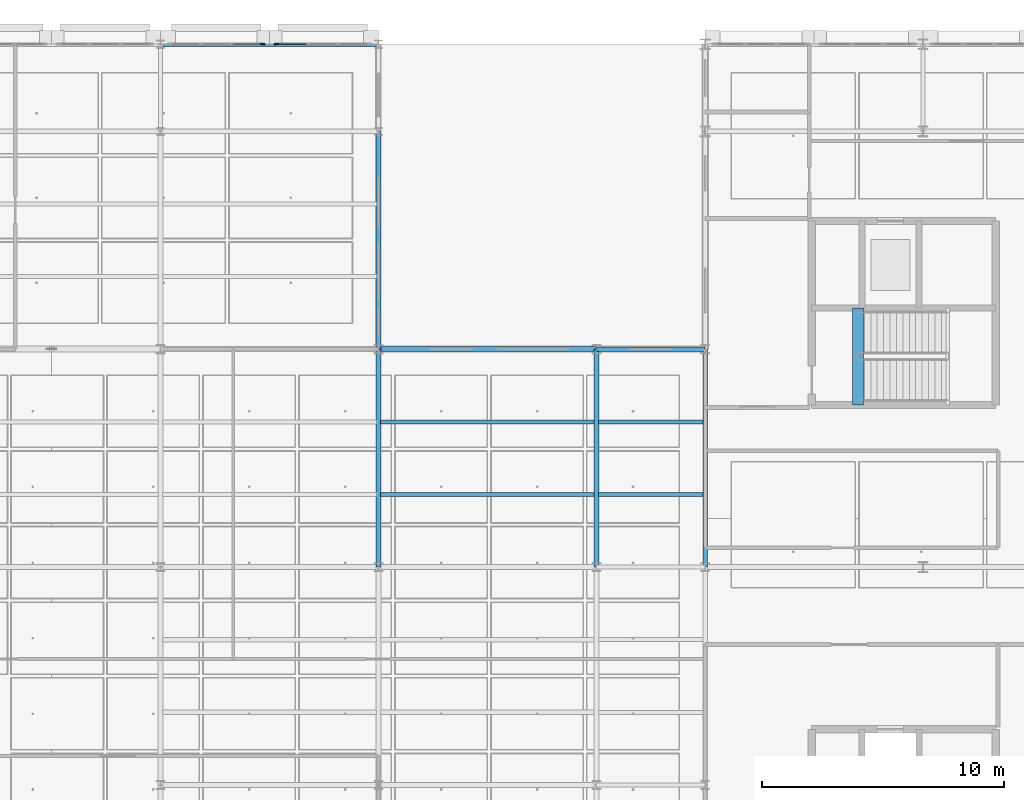
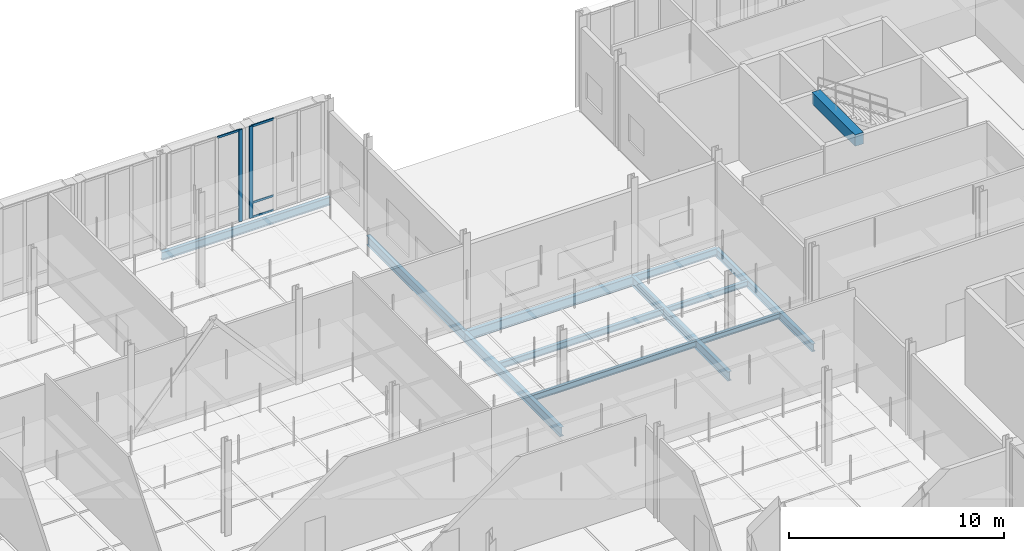
# One storey, part 61 of 180: 12 beams, 6 members, 2 elements without a shape of their own.
"""IFC4 building model written with IfcOpenShell, lengths in metres."""

from ifc_helpers import new_model, si_unit, direction, frame, origin, origin_2d, place, context, subcontext, project, spatial, rectangle, i_section, extrude, material, material_profile, profile_set, type_object, element, aggregate, save


model = new_model("IFC4")

# Units and contexts
model_context = context("Model", 3, precision=1e-05, world=origin(), true_north=direction((0.0, 1.0)))
body_context = subcontext(model_context, "Body", "Model", "MODEL_VIEW")
ifc_project = project(units=[si_unit("LENGTHUNIT", "METRE"), si_unit("AREAUNIT", "SQUARE_METRE"), si_unit("VOLUMEUNIT", "CUBIC_METRE"), si_unit("PLANEANGLEUNIT", "RADIAN"), si_unit("MASSUNIT", "GRAM", prefix="KILO"), si_unit("THERMODYNAMICTEMPERATUREUNIT", "KELVIN"), si_unit("POWERUNIT", "WATT")], contexts=[model_context])

# Site, building, storey
site_placement = place(None, origin())
site = spatial("IfcSite", under=ifc_project, at=site_placement, CompositionType="ELEMENT")
building_placement = place(site_placement, origin())
building = spatial("IfcBuilding", under=site, at=building_placement, Name="Tallowbark Science Centre", CompositionType="ELEMENT")
storey_placement = place(building_placement, origin())
storey = spatial("IfcBuildingStorey", under=building, at=storey_placement, Name="L00", CompositionType="ELEMENT", Elevation=0.0)

# Beams
ifc_material_1 = material(Name="Concrete Grade N40 (40 MPa)", Category="concrete")
ifc_material_profile_1 = material_profile(ifc_material_1, rectangle(XDim=0.449951171875, YDim=0.64990234375, at=origin_2d()), Name="RC450x650")
ifc_profile_set_1 = profile_set([ifc_material_profile_1], Name="Concrete Grade N40 (40 MPa)")
beam_type_1 = type_object("IfcBeamType", Name="BM-GB2-N40", PredefinedType="BEAM", material=ifc_profile_set_1)
beam_1_placement = place(storey_placement, frame((118.81005859375, 96.699951171875, 5.074951171875), z_axis=(0.0, 1.0, 0.0), x_axis=(-1.0, 0.0, 0.0)))
element("IfcBeam", 1, at=beam_1_placement, inside=storey, type_object=beam_type_1, Name="Stair ST-05 Landing Nosing Beam L00", PredefinedType="BEAM", context=body_context, shape_type="SweptSolid", body=[
    extrude(rectangle(XDim=0.449951171875, YDim=0.64990234375, at=origin_2d()), origin(), (0.0, 0.0, 1.0), 3.9951171875),
])
ifc_material_2 = material(Name="Structural Steel Grade 300PLUS (300 MPa)", Category="steel")
ifc_material_profile_2 = material_profile(ifc_material_2, i_section(OverallWidth=0.177734375, OverallDepth=0.406494140625, WebThickness=0.0078125, FlangeThickness=0.0126953125, FilletRadius=0.011474609375, at=origin_2d()), Name="410UB59.7")
ifc_profile_set_2 = profile_set([ifc_material_profile_2], Name="Structural Steel Grade 300PLUS (300 MPa)")
beam_type_2 = type_object("IfcBeamType", Name="BM-UB410", PredefinedType="BEAM", material=ifc_profile_set_2)
beam_2_placement = place(storey_placement, frame((108.0, 99.0, -0.443115234375), z_axis=(1.0, 0.0, 0.0), x_axis=(0.0, 1.0, 0.0)))
element("IfcBeam", 2, at=beam_2_placement, inside=storey, type_object=beam_type_2, Name="Primary Girder GRDX-L00-1080-1125-990", PredefinedType="BEAM", context=body_context, shape_type="SweptSolid", body=[
    extrude(i_section(OverallWidth=0.177734375, OverallDepth=0.406494140625, WebThickness=0.0078125, FlangeThickness=0.0126953125, FilletRadius=0.011474609375, at=origin_2d()), origin(), (0.0, 0.0, 1.0), 4.5),
])
ifc_material_profile_3 = material_profile(ifc_material_2, i_section(OverallWidth=0.208984375, OverallDepth=0.532958984375, WebThickness=0.01025390625, FlangeThickness=0.015625, FilletRadius=0.013916015625, at=origin_2d()), Name="530UB92.4")
ifc_profile_set_3 = profile_set([ifc_material_profile_3], Name="Structural Steel Grade 300PLUS (300 MPa)")
beam_type_3 = type_object("IfcBeamType", Name="BM-UB530A", PredefinedType="BEAM", material=ifc_profile_set_3)
beam_3_placement = place(storey_placement, frame((99.0, 99.0, -0.506591796875), z_axis=(1.0, 0.0, 0.0), x_axis=(0.0, 1.0, 0.0)))
element("IfcBeam", 3, at=beam_3_placement, inside=storey, type_object=beam_type_3, Name="Primary Girder GRDX-L00-990-1080-990", PredefinedType="BEAM", context=body_context, shape_type="SweptSolid", body=[
    extrude(i_section(OverallWidth=0.208984375, OverallDepth=0.532958984375, WebThickness=0.01025390625, FlangeThickness=0.015625, FilletRadius=0.013916015625, at=origin_2d()), origin(), (0.0, 0.0, 1.0), 9.0),
])
ifc_material_profile_4 = material_profile(ifc_material_2, i_section(OverallWidth=0.208740234375, OverallDepth=0.5283203125, WebThickness=0.009521484375, FlangeThickness=0.01318359375, FilletRadius=0.013916015625, at=origin_2d()), Name="530UB82.0")
ifc_profile_set_4 = profile_set([ifc_material_profile_4], Name="Structural Steel Grade 300PLUS (300 MPa)")
beam_type_4 = type_object("IfcBeamType", Name="BM-UB530B", PredefinedType="BEAM", material=ifc_profile_set_4)
for number, where, z_axis, x_axis, name in (
    (4, (99.0, 90.0, -0.504150390625), (0.0, 1.0, 0.0), (-1.0, 0.0, 0.0), "Primary Girder GRDY-L00-990-900-990"),
    (5, (99.0, 99.0, -0.504150390625), (0.0, 1.0, 0.0), (-1.0, 0.0, 0.0), "Primary Girder GRDY-L00-990-990-1080"),
    (6, (108.0, 90.0, -0.504150390625), (0.0, 1.0, 0.0), (-1.0, 0.0, 0.0), "Primary Girder GRDY-L00-1080-900-990"),
):
    element("IfcBeam", number, at=place(storey_placement, frame(where, z_axis=z_axis, x_axis=x_axis)), inside=storey, type_object=beam_type_4, Name=name, PredefinedType="BEAM", context=body_context, shape_type="SweptSolid", body=[
        extrude(i_section(OverallWidth=0.208740234375, OverallDepth=0.5283203125, WebThickness=0.009521484375, FlangeThickness=0.01318359375, FilletRadius=0.013916015625, at=origin_2d()), origin(), (0.0, 0.0, 1.0), 9.0),
    ])

# Curtain wall, member
ifc_material_3 = material(Name="Unitised Thermally Broken Aluminium and Low-E Double Glazing", Category="aluminium")
curtain_wall_type = type_object("IfcCurtainWallType", Name="CW-SYS-FACADE", PredefinedType="NOTDEFINED", material=ifc_material_3)
curtain_wall_1_placement = place(storey_placement, origin())
curtain_wall_1 = element("IfcCurtainWall", 7, at=curtain_wall_1_placement, inside=storey, type_object=curtain_wall_type, Name="Unitised Curtain Wall CAF-N-90A CW-L00-036", PredefinedType="NOTDEFINED")
ifc_material_4 = material(Name="Anodised Architectural Aluminium Alloy 6063-T6", Category="aluminium")
ifc_material_profile_5 = material_profile(ifc_material_4, rectangle(XDim=0.06494140625, YDim=0.179931640625, at=origin_2d()), Name="ALU65x180")
ifc_profile_set_5 = profile_set([ifc_material_profile_5], Name="Anodised Architectural Aluminium Alloy 6063-T6")
member_type_1 = type_object("IfcMemberType", Name="CWM-MUL-220", PredefinedType="MULLION", material=ifc_profile_set_5)
member_1_placement = place(storey_placement, frame((94.782470703125, 111.60009765625, 0.0), z_axis=(0.0, 0.0, 1.0), x_axis=(0.0, -1.0, 0.0)))
member_1 = element("IfcMember", 8, at=member_1_placement, type_object=member_type_1, Name="CW-01 mullion 4", PredefinedType="MULLION", context=body_context, shape_type="SweptSolid", body=[
    extrude(rectangle(XDim=0.06494140625, YDim=0.179931640625, at=origin_2d()), origin(), (0.0, 0.0, 1.0), 5.219970703125),
])

curtain_wall_2_placement = place(storey_placement, origin())
curtain_wall_2 = element("IfcCurtainWall", 9, at=curtain_wall_2_placement, inside=storey, type_object=curtain_wall_type, Name="Unitised Curtain Wall CAF-N-90B CW-L00-037", PredefinedType="NOTDEFINED")
member_2_placement = place(storey_placement, frame((94.217529296875, 111.60009765625, 0.0), z_axis=(0.0, 0.0, 1.0), x_axis=(0.0, -1.0, 0.0)))
member_2 = element("IfcMember", 10, at=member_2_placement, type_object=member_type_1, Name="CW-01 mullion 1", PredefinedType="MULLION", context=body_context, shape_type="SweptSolid", body=[
    extrude(rectangle(XDim=0.06494140625, YDim=0.179931640625, at=origin_2d()), origin(), (0.0, 0.0, 1.0), 5.219970703125),
])

# Member
ifc_material_profile_6 = material_profile(ifc_material_4, rectangle(XDim=0.054931640625, YDim=0.1201171875, at=origin_2d()), Name="ALU55x120")
ifc_profile_set_6 = profile_set([ifc_material_profile_6], Name="Anodised Architectural Aluminium Alloy 6063-T6")
member_type_2 = type_object("IfcMemberType", Name="CWM-TRN-150", PredefinedType="USERDEFINED", material=ifc_profile_set_6)
member_3_placement = place(storey_placement, frame((96.017578125, 111.60009765625, 0.027587890625), z_axis=(-1.0, 0.0, 0.0), x_axis=(0.0, -1.0, 0.0)))
member_3 = element("IfcMember", 11, at=member_3_placement, type_object=member_type_2, Name="CW-01 transom 3.1", ObjectType="TRANSOM", PredefinedType="USERDEFINED", context=body_context, shape_type="SweptSolid", body=[
    extrude(rectangle(XDim=0.054931640625, YDim=0.1201171875, at=origin_2d()), origin(), (0.0, 0.0, 1.0), 1.20263671875),
])

member_4_placement = place(storey_placement, frame((96.017578125, 111.60009765625, 0.85009765625), z_axis=(-1.0, 0.0, 0.0), x_axis=(0.0, -1.0, 0.0)))
member_4 = element("IfcMember", 12, at=member_4_placement, type_object=member_type_2, Name="CW-01 transom 3.2", ObjectType="TRANSOM", PredefinedType="USERDEFINED", context=body_context, shape_type="SweptSolid", body=[
    extrude(rectangle(XDim=0.054931640625, YDim=0.1201171875, at=origin_2d()), origin(), (0.0, 0.0, 1.0), 1.20263671875),
])

member_5_placement = place(storey_placement, frame((96.017578125, 111.60009765625, 5.1923828125), z_axis=(-1.0, 0.0, 0.0), x_axis=(0.0, -1.0, 0.0)))
member_5 = element("IfcMember", 13, at=member_5_placement, type_object=member_type_2, Name="CW-01 transom 3.3", ObjectType="TRANSOM", PredefinedType="USERDEFINED", context=body_context, shape_type="SweptSolid", body=[
    extrude(rectangle(XDim=0.054931640625, YDim=0.1201171875, at=origin_2d()), origin(), (0.0, 0.0, 1.0), 1.20263671875),
])

aggregate(curtain_wall_1, [member_1, member_3, member_4, member_5])

member_6_placement = place(storey_placement, frame((94.18505859375, 111.60009765625, 5.1923828125), z_axis=(-1.0, 0.0, 0.0), x_axis=(0.0, -1.0, 0.0)))
member_6 = element("IfcMember", 14, at=member_6_placement, type_object=member_type_2, Name="CW-01 transom 1.3", ObjectType="TRANSOM", PredefinedType="USERDEFINED", context=body_context, shape_type="SweptSolid", body=[
    extrude(rectangle(XDim=0.054931640625, YDim=0.1201171875, at=origin_2d()), origin(), (0.0, 0.0, 1.0), 1.20263671875),
])

aggregate(curtain_wall_2, [member_2, member_6])

# Beams
ifc_material_profile_7 = material_profile(ifc_material_2, i_section(OverallWidth=0.166015625, OverallDepth=0.30712890625, WebThickness=0.006591796875, FlangeThickness=0.01171875, FilletRadius=0.011474609375, at=origin_2d()), Name="310UB46.2")
ifc_profile_set_7 = profile_set([ifc_material_profile_7], Name="Structural Steel Grade 300PLUS (300 MPa)")
beam_type_5 = type_object("IfcBeamType", Name="JST-UB310", PredefinedType="JOIST", material=ifc_profile_set_7)
for number, where, z_axis, x_axis, name in (
    (15, (108.0849609375, 93.0, -0.3935546875), (1.0, 0.0, 0.0), (0.0, 1.0, 0.0), "Composite Floor Joist JSTX-L00-1080-930"),
    (16, (108.0849609375, 96.0, -0.3935546875), (1.0, 0.0, 0.0), (0.0, 1.0, 0.0), "Composite Floor Joist JSTX-L00-1080-960"),
):
    element("IfcBeam", number, at=place(storey_placement, frame(where, z_axis=z_axis, x_axis=x_axis)), inside=storey, type_object=beam_type_5, Name=name, PredefinedType="JOIST", context=body_context, shape_type="SweptSolid", body=[
        extrude(i_section(OverallWidth=0.166015625, OverallDepth=0.30712890625, WebThickness=0.006591796875, FlangeThickness=0.01171875, FilletRadius=0.011474609375, at=origin_2d()), origin(), (0.0, 0.0, 1.0), 4.330078125),
    ])
ifc_material_profile_8 = material_profile(ifc_material_2, i_section(OverallWidth=0.172119140625, OverallDepth=0.358642578125, WebThickness=0.008056640625, FlangeThickness=0.012939453125, FilletRadius=0.011474609375, at=origin_2d()), Name="360UB56.7")
ifc_profile_set_8 = profile_set([ifc_material_profile_8], Name="Structural Steel Grade 300PLUS (300 MPa)")
beam_type_6 = type_object("IfcBeamType", Name="JST-UB360", PredefinedType="JOIST", material=ifc_profile_set_8)
for number, where, z_axis, x_axis, name in (
    (17, (99.0849609375, 93.0, -0.419189453125), (1.0, 0.0, 0.0), (0.0, 1.0, 0.0), "Composite Floor Joist JSTX-L00-990-930"),
    (18, (99.0849609375, 96.0, -0.419189453125), (1.0, 0.0, 0.0), (0.0, 1.0, 0.0), "Composite Floor Joist JSTX-L00-990-960"),
):
    element("IfcBeam", number, at=place(storey_placement, frame(where, z_axis=z_axis, x_axis=x_axis)), inside=storey, type_object=beam_type_6, Name=name, PredefinedType="JOIST", context=body_context, shape_type="SweptSolid", body=[
        extrude(i_section(OverallWidth=0.172119140625, OverallDepth=0.358642578125, WebThickness=0.008056640625, FlangeThickness=0.012939453125, FilletRadius=0.011474609375, at=origin_2d()), origin(), (0.0, 0.0, 1.0), 8.830078125),
    ])
ifc_material_profile_9 = material_profile(ifc_material_2, i_section(OverallWidth=0.18994140625, OverallDepth=0.453857421875, WebThickness=0.008544921875, FlangeThickness=0.0126953125, FilletRadius=0.011474609375, at=origin_2d()), Name="460UB67.1")
ifc_profile_set_9 = profile_set([ifc_material_profile_9], Name="Structural Steel Grade 300PLUS (300 MPa)")
beam_type_7 = type_object("IfcBeamType", Name="SPN-UB460", PredefinedType="SPANDREL", material=ifc_profile_set_9)
for number, where, z_axis, x_axis, name in (
    (19, (90.0, 111.60009765625, -0.466796875), (1.0, 0.0, 0.0), (0.0, 1.0, 0.0), "Primary Girder GRDX-L00-900-990-1116"),
    (20, (112.5, 90.0, -0.466796875), (0.0, 1.0, 0.0), (-1.0, 0.0, 0.0), "Primary Girder GRDY-L00-1125-900-990"),
):
    element("IfcBeam", number, at=place(storey_placement, frame(where, z_axis=z_axis, x_axis=x_axis)), inside=storey, type_object=beam_type_7, Name=name, PredefinedType="SPANDREL", context=body_context, shape_type="SweptSolid", body=[
        extrude(i_section(OverallWidth=0.18994140625, OverallDepth=0.453857421875, WebThickness=0.008544921875, FlangeThickness=0.0126953125, FilletRadius=0.011474609375, at=origin_2d()), origin(), (0.0, 0.0, 1.0), 9.0),
    ])

save(model, "model.ifc")
